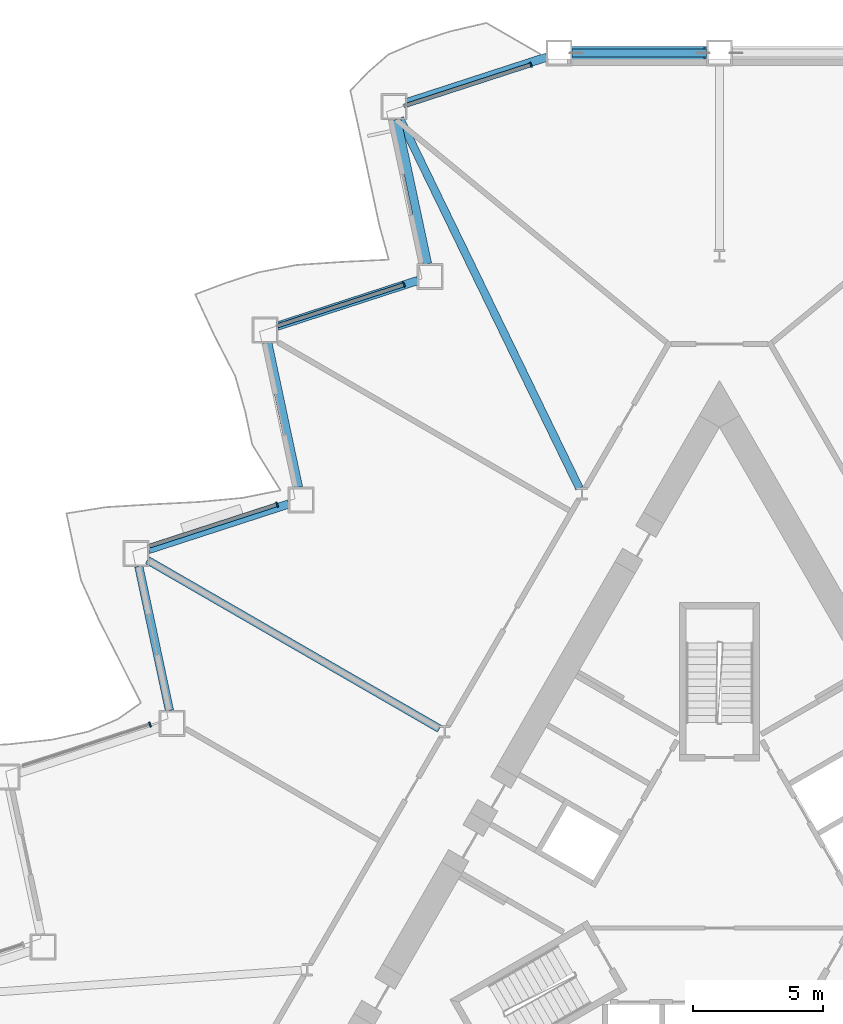
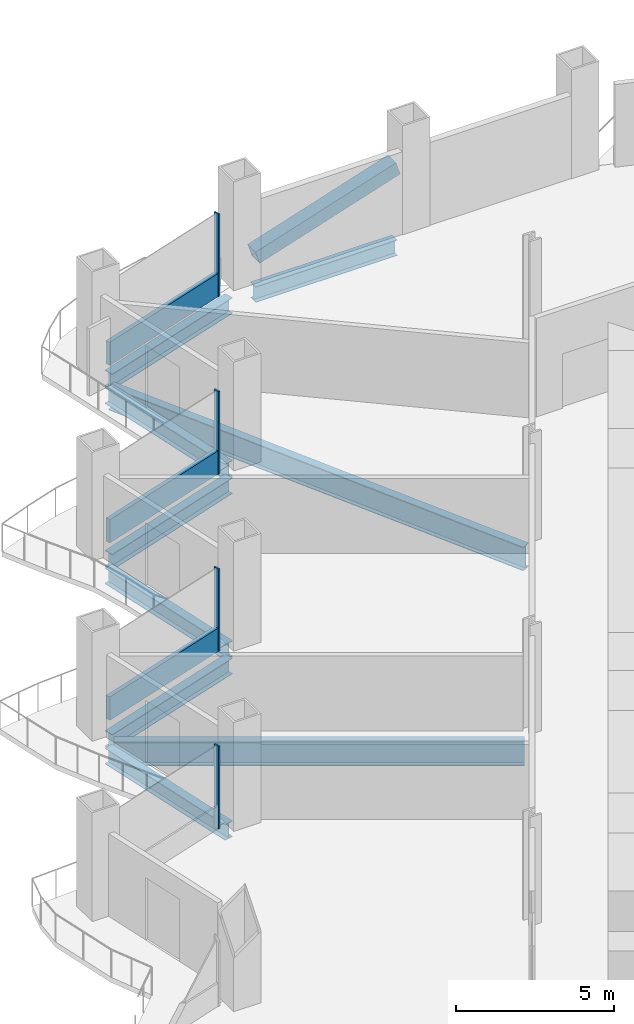
# One storey, part 6 of 20: 9 beams, 8 members, 4 elements without a shape of their own.
"""IFC4 building model written with IfcOpenShell, lengths in metres."""

from ifc_helpers import new_model, si_unit, direction, frame, origin, origin_2d, place, context, subcontext, project, spatial, rectangle, hollow_rectangle, i_section, extrude, material, layer, layer_set, material_profile, profile_set, type_object, element, aggregate, save


model = new_model("IFC4")

# Units and contexts
model_context = context("Model", 3, precision=1e-05, world=origin(), true_north=direction((0.0, 1.0)))
body_context = subcontext(model_context, "Body", "Model", "MODEL_VIEW")
ifc_project = project(units=[si_unit("LENGTHUNIT", "METRE"), si_unit("AREAUNIT", "SQUARE_METRE"), si_unit("VOLUMEUNIT", "CUBIC_METRE"), si_unit("PLANEANGLEUNIT", "RADIAN"), si_unit("MASSUNIT", "GRAM", prefix="KILO")], contexts=[model_context])

# Site, building, storey
site_placement = place(None, origin())
site = spatial("IfcSite", under=ifc_project, at=site_placement, CompositionType="ELEMENT")
building_placement = place(site_placement, origin())
building = spatial("IfcBuilding", under=site, at=building_placement, Name="Cormorant Prow Tower", CompositionType="ELEMENT")
storey_placement = place(building_placement, frame((0.0, 0.0, 63.60009765625)))
storey = spatial("IfcBuildingStorey", under=building, at=storey_placement, Name="L13", CompositionType="ELEMENT", Elevation=63.60009765625)

# Member
ifc_material_1 = material(Name="Structural steel ASTM A500 Gr C", Category="steel")
ifc_material_profile_1 = material_profile(ifc_material_1, hollow_rectangle(XDim=0.508056640625, YDim=0.508056640625, WallThickness=0.014892578125, at=origin_2d()), Name="HSS20x20x5/8")
ifc_profile_set_1 = profile_set([ifc_material_profile_1], Name="Structural steel ASTM A500 Gr C")
member_type_1 = type_object("IfcMemberType", Name="Chamfer brace HSS20x20x5/8", PredefinedType="BRACE", material=ifc_profile_set_1)
member_1_placement = place(storey_placement, frame((-5.65087890625, 32.233642578125, 0.76708984375), z_axis=(0.951761092368, 0.0, 0.306840061033), x_axis=(0.0, 1.0, 0.0)))
element("IfcMember", 1, at=member_1_placement, inside=storey, type_object=member_type_1, Name="Chamfer brace BR1 at N01 L13", PredefinedType="BRACE", context=body_context, shape_type="SweptSolid", body=[
    extrude(hollow_rectangle(XDim=0.508056640625, YDim=0.508056640625, WallThickness=0.014892578125, at=origin_2d()), origin(), (0.0, 0.0, 1.0), 5.39208984375),
])

# Curtain wall, member
ifc_material_2 = material(Name="Aluminium 6063-T6", Category="aluminium")
ifc_layer = layer(ifc_material_2, 0.199951171875)
ifc_layer_set = layer_set([ifc_layer], Name="Aluminium 6063-T6")
curtain_wall_type = type_object("IfcCurtainWallType", Name="Office unitised curtain wall 200", PredefinedType="NOTDEFINED", material=ifc_layer_set)
curtain_wall_1_placement = place(storey_placement, origin())
curtain_wall_1 = element("IfcCurtainWall", 2, at=curtain_wall_1_placement, inside=storey, type_object=curtain_wall_type, Name="Office curtain wall WNW00", PredefinedType="NOTDEFINED")
ifc_material_3 = material(Name="Aluminium 6063-T6", Category="aluminium")
ifc_material_profile_2 = material_profile(ifc_material_3, rectangle(XDim=0.199951171875, YDim=0.06005859375, at=origin_2d()), Name="Office mullion 60x200")
ifc_profile_set_2 = profile_set([ifc_material_profile_2], Name="Aluminium 6063-T6")
member_type_2 = type_object("IfcMemberType", Name="Office mullion 60x200", PredefinedType="MULLION", material=ifc_profile_set_2)
member_2_placement = place(storey_placement, frame((-7.25830078125, 31.78125, 0.0), z_axis=(0.0, 0.0, 1.0), x_axis=(0.309017079512, -0.951056488633, 0.0)))
member_2 = element("IfcMember", 3, at=member_2_placement, type_object=member_type_2, Name="Office mullion WNW00", PredefinedType="MULLION", context=body_context, shape_type="SweptSolid", body=[
    extrude(rectangle(XDim=0.199951171875, YDim=0.06005859375, at=origin_2d()), origin(), (0.0, 0.0, 1.0), 3.188720703125),
])

curtain_wall_2_placement = place(storey_placement, origin())
curtain_wall_2 = element("IfcCurtainWall", 4, at=curtain_wall_2_placement, inside=storey, type_object=curtain_wall_type, Name="Office curtain wall WNW02", PredefinedType="NOTDEFINED")
member_3_placement = place(storey_placement, frame((-12.14599609375, 23.315185546875, 0.0), z_axis=(0.0, 0.0, 1.0), x_axis=(0.309016897304, -0.951056547836, 0.0)))
member_3 = element("IfcMember", 5, at=member_3_placement, type_object=member_type_2, Name="Office mullion WNW02", PredefinedType="MULLION", context=body_context, shape_type="SweptSolid", body=[
    extrude(rectangle(XDim=0.199951171875, YDim=0.06005859375, at=origin_2d()), origin(), (0.0, 0.0, 1.0), 3.188720703125),
])

curtain_wall_3_placement = place(storey_placement, origin())
curtain_wall_3 = element("IfcCurtainWall", 6, at=curtain_wall_3_placement, inside=storey, type_object=curtain_wall_type, Name="Office curtain wall WNW04", PredefinedType="NOTDEFINED")
member_4_placement = place(storey_placement, frame((-17.03369140625, 14.849365234375, 0.0), z_axis=(0.0, 0.0, 1.0), x_axis=(0.309017079512, -0.951056488633, 0.0)))
member_4 = element("IfcMember", 7, at=member_4_placement, type_object=member_type_2, Name="Office mullion WNW04", PredefinedType="MULLION", context=body_context, shape_type="SweptSolid", body=[
    extrude(rectangle(XDim=0.199951171875, YDim=0.06005859375, at=origin_2d()), origin(), (0.0, 0.0, 1.0), 3.188720703125),
])

curtain_wall_4_placement = place(storey_placement, origin())
curtain_wall_4 = element("IfcCurtainWall", 8, at=curtain_wall_4_placement, inside=storey, type_object=curtain_wall_type, Name="Office curtain wall WNW06", PredefinedType="NOTDEFINED")
member_5_placement = place(storey_placement, frame((-21.921630859375, 6.383544921875, 0.0), z_axis=(0.0, 0.0, 1.0), x_axis=(0.309016941988, -0.951056533317, 0.0)))
member_5 = element("IfcMember", 9, at=member_5_placement, type_object=member_type_2, Name="Office mullion WNW06", PredefinedType="MULLION", context=body_context, shape_type="SweptSolid", body=[
    extrude(rectangle(XDim=0.199951171875, YDim=0.06005859375, at=origin_2d()), origin(), (0.0, 0.0, 1.0), 3.188720703125),
])
aggregate(curtain_wall_4, [member_5])

# Member
ifc_material_4 = material(Name="Terracotta", Category="masonry")
ifc_material_profile_3 = material_profile(ifc_material_4, rectangle(XDim=0.159912109375, YDim=0.89990234375, at=origin_2d()), Name="Office terracotta spandrel rail 160x900")
ifc_profile_set_3 = profile_set([ifc_material_profile_3], Name="Terracotta")
member_type_3 = type_object("IfcMemberType", Name="Office terracotta spandrel rail 160x900", PredefinedType="USERDEFINED", material=ifc_profile_set_3)
member_6_placement = place(storey_placement, frame((-7.286865234375, 31.77197265625, 0.449951171875), z_axis=(-0.951044599101, -0.309053669321, 0.0), x_axis=(0.309053669321, -0.951044599101, 0.0)))
member_6 = element("IfcMember", 10, at=member_6_placement, type_object=member_type_3, Name="Office spandrel rail WNW00", ObjectType="TRANSOM", PredefinedType="USERDEFINED", context=body_context, shape_type="SweptSolid", body=[
    extrude(rectangle(XDim=0.159912109375, YDim=0.89990234375, at=origin_2d()), origin(), (0.0, 0.0, 1.0), 5.111083984375),
])

aggregate(curtain_wall_1, [member_2, member_6])

member_7_placement = place(storey_placement, frame((-12.174560546875, 23.305908203125, 0.449951171875), z_axis=(-0.951063199163, -0.308996425865, 0.0), x_axis=(0.308996425865, -0.951063199163, 0.0)))
member_7 = element("IfcMember", 11, at=member_7_placement, type_object=member_type_3, Name="Office spandrel rail WNW02", ObjectType="TRANSOM", PredefinedType="USERDEFINED", context=body_context, shape_type="SweptSolid", body=[
    extrude(rectangle(XDim=0.159912109375, YDim=0.89990234375, at=origin_2d()), origin(), (0.0, 0.0, 1.0), 5.111328125),
])

aggregate(curtain_wall_2, [member_3, member_7])

member_8_placement = place(storey_placement, frame((-17.062255859375, 14.840087890625, 0.449951171875), z_axis=(-0.951063199163, -0.308996425865, 0.0), x_axis=(0.308996425865, -0.951063199163, 0.0)))
member_8 = element("IfcMember", 12, at=member_8_placement, type_object=member_type_3, Name="Office spandrel rail WNW04", ObjectType="TRANSOM", PredefinedType="USERDEFINED", context=body_context, shape_type="SweptSolid", body=[
    extrude(rectangle(XDim=0.159912109375, YDim=0.89990234375, at=origin_2d()), origin(), (0.0, 0.0, 1.0), 5.111328125),
])

aggregate(curtain_wall_3, [member_4, member_8])

# Beams
ifc_material_5 = material(Name="Structural steel ASTM A992 Gr 50", Category="steel")
ifc_material_profile_4 = material_profile(ifc_material_5, i_section(OverallWidth=0.3046875, OverallDepth=0.914794921875, WebThickness=0.0166015625, FlangeThickness=0.02587890625, at=origin_2d()), Name="W36x160")
ifc_profile_set_4 = profile_set([ifc_material_profile_4], Name="Structural steel ASTM A992 Gr 50")
beam_type_1 = type_object("IfcBeamType", Name="Radial floor beam W36x160", PredefinedType="BEAM", material=ifc_profile_set_4)
beam_1_placement = place(storey_placement, frame((-5.390625, 15.4775390625, -0.857421875), z_axis=(-0.436839436813, 0.899539496879, 0.0), x_axis=(-0.899539496879, -0.436839436813, 0.0)))
element("IfcBeam", 13, at=beam_1_placement, inside=storey, type_object=beam_type_1, Name="Radial floor beam FB1 2 L13", PredefinedType="BEAM", context=body_context, shape_type="SweptSolid", body=[
    extrude(i_section(OverallWidth=0.3046875, OverallDepth=0.914794921875, WebThickness=0.0166015625, FlangeThickness=0.02587890625, at=origin_2d()), origin(), (0.0, 0.0, 1.0), 15.83203125),
])
beam_2_placement = place(storey_placement, frame((-10.779541015625, 6.2236328125, -0.857421875), z_axis=(-0.866030278318, 0.499991556966, 0.0), x_axis=(-0.499991556966, -0.866030278318, 0.0)))
element("IfcBeam", 14, at=beam_2_placement, inside=storey, type_object=beam_type_1, Name="Radial floor beam FB1 3 L13", PredefinedType="BEAM", context=body_context, shape_type="SweptSolid", body=[
    extrude(i_section(OverallWidth=0.3046875, OverallDepth=0.914794921875, WebThickness=0.0166015625, FlangeThickness=0.02587890625, at=origin_2d()), origin(), (0.0, 0.0, 1.0), 12.984130859375),
])
ifc_material_6 = material(Name="Structural steel ASTM A992 Gr 50", Category="steel")
ifc_material_profile_5 = material_profile(ifc_material_6, i_section(OverallWidth=0.32373046875, OverallDepth=0.611083984375, WebThickness=0.0126953125, FlangeThickness=0.01904296875, at=origin_2d()), Name="W24x104")
ifc_profile_set_5 = profile_set([ifc_material_profile_5], Name="Structural steel ASTM A992 Gr 50")
beam_type_2 = type_object("IfcBeamType", Name="Spandrel beam W24x104", PredefinedType="SPANDREL", material=ifc_profile_set_5)
beam_3_placement = place(storey_placement, frame((-0.5, 32.233642578125, -0.70556640625), z_axis=(-1.0, 0.0, 0.0), x_axis=(0.0, -1.0, 0.0)))
element("IfcBeam", 15, at=beam_3_placement, inside=storey, type_object=beam_type_2, Name="Spandrel beam SB1 N01-WNW00 L13", PredefinedType="SPANDREL", context=body_context, shape_type="SweptSolid", body=[
    extrude(i_section(OverallWidth=0.32373046875, OverallDepth=0.611083984375, WebThickness=0.0126953125, FlangeThickness=0.01904296875, at=origin_2d()), origin(), (0.0, 0.0, 1.0), 5.169677734375),
])
beam_4_placement = place(storey_placement, frame((-6.645263671875, 32.0791015625, -0.70556640625), z_axis=(-0.951061849722, -0.309000579292, 0.0), x_axis=(0.309000579292, -0.951061849722, 0.0)))
element("IfcBeam", 16, at=beam_4_placement, inside=storey, type_object=beam_type_2, Name="Spandrel beam SB1 WNW00-WNW01 L13", PredefinedType="SPANDREL", context=body_context, shape_type="SweptSolid", body=[
    extrude(i_section(OverallWidth=0.32373046875, OverallDepth=0.611083984375, WebThickness=0.0126953125, FlangeThickness=0.01904296875, at=origin_2d()), origin(), (0.0, 0.0, 1.0), 5.682373046875),
])
beam_5_placement = place(storey_placement, frame((-12.421142578125, 29.6796875, -0.70556640625), z_axis=(0.207900376723, -0.97815000555, 0.0), x_axis=(0.97815000555, 0.207900376723, 0.0)))
element("IfcBeam", 17, at=beam_5_placement, inside=storey, type_object=beam_type_2, Name="Spandrel beam SB1 WNW01-WNW02 L13", PredefinedType="SPANDREL", context=body_context, shape_type="SweptSolid", body=[
    extrude(i_section(OverallWidth=0.32373046875, OverallDepth=0.611083984375, WebThickness=0.0126953125, FlangeThickness=0.01904296875, at=origin_2d()), origin(), (0.0, 0.0, 1.0), 5.6826171875),
])
beam_6_placement = place(storey_placement, frame((-11.611328125, 23.477783203125, -0.70556640625), z_axis=(-0.951049222751, -0.309039440696, 0.0), x_axis=(0.309039440696, -0.951049222751, 0.0)))
element("IfcBeam", 18, at=beam_6_placement, inside=storey, type_object=beam_type_2, Name="Spandrel beam SB1 WNW02-WNW03 L13", PredefinedType="SPANDREL", context=body_context, shape_type="SweptSolid", body=[
    extrude(i_section(OverallWidth=0.32373046875, OverallDepth=0.611083984375, WebThickness=0.0126953125, FlangeThickness=0.01904296875, at=origin_2d()), origin(), (0.0, 0.0, 1.0), 5.682373046875),
])
beam_7_placement = place(storey_placement, frame((-17.38720703125, 21.078125, -0.70556640625), z_axis=(0.207900376723, -0.97815000555, 0.0), x_axis=(0.97815000555, 0.207900376723, 0.0)))
element("IfcBeam", 19, at=beam_7_placement, inside=storey, type_object=beam_type_2, Name="Spandrel beam SB1 WNW03-WNW04 L13", PredefinedType="SPANDREL", context=body_context, shape_type="SweptSolid", body=[
    extrude(i_section(OverallWidth=0.32373046875, OverallDepth=0.611083984375, WebThickness=0.0126953125, FlangeThickness=0.01904296875, at=origin_2d()), origin(), (0.0, 0.0, 1.0), 5.6826171875),
])
beam_8_placement = place(storey_placement, frame((-16.577392578125, 14.876220703125, -0.70556640625), z_axis=(-0.951049222751, -0.309039440696, 0.0), x_axis=(0.309039440696, -0.951049222751, 0.0)))
element("IfcBeam", 20, at=beam_8_placement, inside=storey, type_object=beam_type_2, Name="Spandrel beam SB1 WNW04-WNW05 L13", PredefinedType="SPANDREL", context=body_context, shape_type="SweptSolid", body=[
    extrude(i_section(OverallWidth=0.32373046875, OverallDepth=0.611083984375, WebThickness=0.0126953125, FlangeThickness=0.01904296875, at=origin_2d()), origin(), (0.0, 0.0, 1.0), 5.682373046875),
])
beam_9_placement = place(storey_placement, frame((-22.353271484375, 12.4765625, -0.70556640625), z_axis=(0.207900376723, -0.97815000555, 0.0), x_axis=(0.97815000555, 0.207900376723, 0.0)))
element("IfcBeam", 21, at=beam_9_placement, inside=storey, type_object=beam_type_2, Name="Spandrel beam SB1 WNW05-WNW06 L13", PredefinedType="SPANDREL", context=body_context, shape_type="SweptSolid", body=[
    extrude(i_section(OverallWidth=0.32373046875, OverallDepth=0.611083984375, WebThickness=0.0126953125, FlangeThickness=0.01904296875, at=origin_2d()), origin(), (0.0, 0.0, 1.0), 5.6826171875),
])

save(model, "model.ifc")
